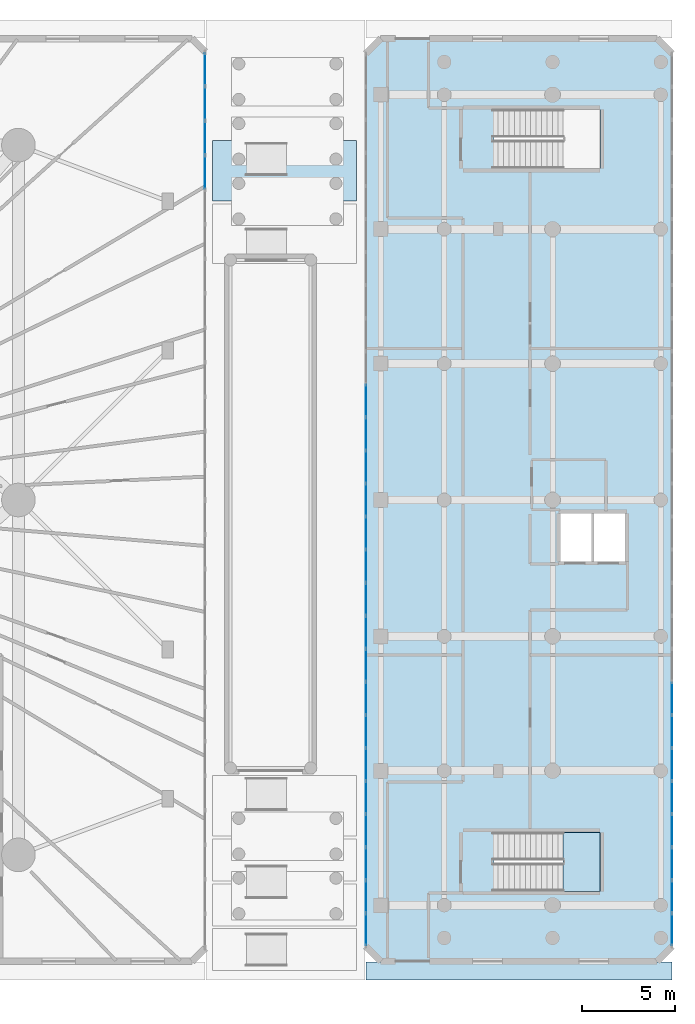
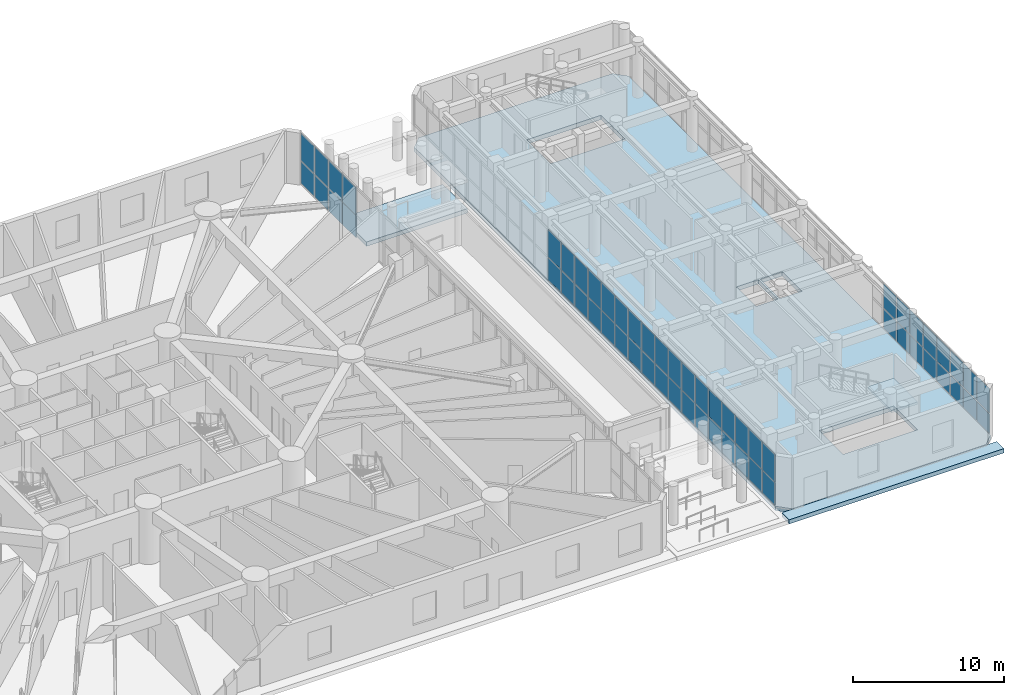
# One storey, part 11 of 30: 58 plates, 4 slabs, 4 elements without a shape of their own.
"""IFC4 building model written with IfcOpenShell, lengths in metres."""

import ifcopenshell
import ifcopenshell.guid

model = None  # the IFC model being written
_history = None  # IfcOwnerHistory: only IFC2X3 demands one
_inside = {}  # id of a spatial element -> (the spatial element, [elements in it])
_under = {}  # id of a project, library or spatial element -> (it, [spatial elements below it])
_declared = {}  # id of a project -> (the project, [libraries it declares])
_typed = {}  # id of a type object -> (the type object, [elements of that type])
_made_of = {}  # id of a material, layer set ... -> (it, [elements and type objects made of it])


def new_model(schema):
    """Start an empty IFC model of exactly this schema.

    Asked for "IFC4X3", IfcOpenShell would pick the latest addendum, in which some entities
    have other attributes; the version numbers below select the first issue.
    IFC2X3 requires an IfcOwnerHistory on every rooted entity: one is made here for all.
    """
    global model, _history
    if schema == "IFC4X3":
        model = ifcopenshell.file(schema_version=(4, 3, 0, 0))
    else:
        model = ifcopenshell.file(schema=schema)
    _inside.clear()
    _under.clear()
    _declared.clear()
    _typed.clear()
    _made_of.clear()
    _history = None
    if model.schema == "IFC2X3":
        org = make("IfcOrganization", Name="unknown")
        user = make(
            "IfcPersonAndOrganization",
            ThePerson=make("IfcPerson", FamilyName="unknown"),
            TheOrganization=org,
        )
        app = make(
            "IfcApplication",
            ApplicationDeveloper=org,
            Version="unknown",
            ApplicationFullName="unknown",
            ApplicationIdentifier="unknown",
        )
        _history = make(
            "IfcOwnerHistory",
            OwningUser=user,
            OwningApplication=app,
            ChangeAction="ADDED",
            CreationDate=0,
        )
    return model


def make(cls, **values):
    """One entity of the class cls with the attributes given. An attribute that is None is left unset."""
    return model.create_entity(
        cls, **{name: value for name, value in values.items() if value is not None}
    )


def rooted(cls, **values):
    """An entity with a GlobalId (a new one), such as an element, a storey or a relation."""
    return make(cls, GlobalId=ifcopenshell.guid.new(), OwnerHistory=_history, **values)


def si_unit(unit_type, name, prefix=None):
    """IfcSIUnit, for example si_unit("LENGTHUNIT", "METRE", prefix="MILLI")."""
    return make("IfcSIUnit", UnitType=unit_type, Prefix=prefix, Name=name)


def assignment(units):
    """IfcUnitAssignment: the units of a project."""
    return None if units is None else make("IfcUnitAssignment", Units=units)


def point(xyz):
    """IfcCartesianPoint."""
    return None if xyz is None else make("IfcCartesianPoint", Coordinates=xyz)


def direction(xyz):
    """IfcDirection."""
    return None if xyz is None else make("IfcDirection", DirectionRatios=xyz)


def frame(location, z_axis=None, x_axis=None):
    """IfcAxis2Placement3D, a coordinate frame: its origin and axes. An axis left out is left unset."""
    return make(
        "IfcAxis2Placement3D",
        Location=point(location),
        Axis=direction(z_axis),
        RefDirection=direction(x_axis),
    )


def frame_2d(location, x_axis=None):
    """IfcAxis2Placement2D, a coordinate frame in the plane: its origin and x axis."""
    return make(
        "IfcAxis2Placement2D", Location=point(location), RefDirection=direction(x_axis)
    )


def origin():
    """The frame at (0, 0, 0) with its axes left unset."""
    return frame((0.0, 0.0, 0.0))


def origin_with_axes():
    """The frame at (0, 0, 0) with the z axis (0, 0, 1) and the x axis (1, 0, 0) written out."""
    return frame((0.0, 0.0, 0.0), z_axis=(0.0, 0.0, 1.0), x_axis=(1.0, 0.0, 0.0))


def origin_2d():
    """The frame at (0, 0) in the plane with its x axis left unset."""
    return frame_2d((0.0, 0.0))


def place(relative_to, where):
    """IfcLocalPlacement: puts the frame where relative to a parent placement (None: the world)."""
    return make(
        "IfcLocalPlacement", PlacementRelTo=relative_to, RelativePlacement=where
    )


def context(
    kind, dimensions, precision=None, world=None, true_north=None, identifier=None
):
    """IfcGeometricRepresentationContext, for example the 3D "Model" context."""
    return make(
        "IfcGeometricRepresentationContext",
        ContextIdentifier=identifier,
        ContextType=kind,
        CoordinateSpaceDimension=dimensions,
        Precision=precision,
        WorldCoordinateSystem=world,
        TrueNorth=true_north,
    )


def subcontext(parent, identifier, kind, view, scale=None):
    """IfcGeometricRepresentationSubContext, for example "Body" below "Model"."""
    return make(
        "IfcGeometricRepresentationSubContext",
        ContextIdentifier=identifier,
        ContextType=kind,
        ParentContext=parent,
        TargetScale=scale,
        TargetView=view,
    )


def project(units=None, contexts=None):
    """IfcProject with its units and contexts."""
    return rooted(
        "IfcProject",
        Name="project",
        RepresentationContexts=contexts,
        UnitsInContext=assignment(units),
    )


def spatial(cls, under=None, at=None, **own):
    """A site, building, storey or space (cls), placed at a placement, below another one or the project."""
    s = rooted(cls, ObjectPlacement=at, **own)
    if under is not None:
        _under.setdefault(under.id(), (under, []))[1].append(s)
    return s


def polyline(points):
    """IfcPolyline through the points."""
    return make("IfcPolyline", Points=[point(p) for p in points])


def profile(cls, at=None, kind="AREA", **sizes):
    """A parametric profile (cls). Its sizes go by their IFC names, for example OverallWidth=200.0."""
    return make(cls, ProfileType=kind, Position=at, **sizes)


def rectangle(**sizes):
    """IfcRectangleProfileDef."""
    return profile("IfcRectangleProfileDef", **sizes)


def outline(outer, holes=None, kind="AREA"):
    """IfcArbitraryClosedProfileDef: a profile drawn as a closed curve; with holes, ...WithVoids."""
    if holes is None:
        return make("IfcArbitraryClosedProfileDef", ProfileType=kind, OuterCurve=outer)
    return make(
        "IfcArbitraryProfileDefWithVoids",
        ProfileType=kind,
        OuterCurve=outer,
        InnerCurves=holes,
    )


def extrude(swept, where, along, depth):
    """IfcExtrudedAreaSolid: the profile swept, set in the frame where, extruded along a direction by depth."""
    return make(
        "IfcExtrudedAreaSolid",
        SweptArea=swept,
        Position=where,
        ExtrudedDirection=direction(along),
        Depth=depth,
    )


def shape(context_of_items, identifier, shape_type, items):
    """IfcShapeRepresentation: the items that make up one representation, for example the "Body"."""
    return make(
        "IfcShapeRepresentation",
        ContextOfItems=context_of_items,
        RepresentationIdentifier=identifier,
        RepresentationType=shape_type,
        Items=items,
    )


def source(mapping_origin, context_of_items, identifier, shape_type, items):
    """IfcRepresentationMap: a shape defined once, which mapped items show again and again."""
    return make(
        "IfcRepresentationMap",
        MappingOrigin=mapping_origin,
        MappedRepresentation=shape(context_of_items, identifier, shape_type, items),
    )


def transform(
    local_origin,
    x_axis=None,
    y_axis=None,
    z_axis=None,
    scale=None,
    scale2=None,
    scale3=None,
    uniform=True,
):
    """IfcCartesianTransformationOperator3D, or its non-uniform kind. x_axis, y_axis, z_axis: its Axis1, 2, 3."""
    if uniform:
        return make(
            "IfcCartesianTransformationOperator3D",
            Axis1=direction(x_axis),
            Axis2=direction(y_axis),
            LocalOrigin=point(local_origin),
            Scale=scale,
            Axis3=direction(z_axis),
        )
    return make(
        "IfcCartesianTransformationOperator3DnonUniform",
        Axis1=direction(x_axis),
        Axis2=direction(y_axis),
        LocalOrigin=point(local_origin),
        Scale=scale,
        Axis3=direction(z_axis),
        Scale2=scale2,
        Scale3=scale3,
    )


def mapped(mapping_source, mapping_target):
    """IfcMappedItem: shows the shape of a source again, moved by a transform."""
    return make(
        "IfcMappedItem", MappingSource=mapping_source, MappingTarget=mapping_target
    )


def material(Name=None, Category=None):
    """IfcMaterial."""
    return make("IfcMaterial", Name=Name, Category=Category)


def layer(
    of_material, thickness, ventilated=None, Name=None, Category=None, Priority=None
):
    """IfcMaterialLayer: one layer of a wall or slab, of a material (None: an air gap)."""
    return make(
        "IfcMaterialLayer",
        Material=of_material,
        LayerThickness=thickness,
        IsVentilated=ventilated,
        Name=Name,
        Category=Category,
        Priority=Priority,
    )


def layer_set(layers, Name=None):
    """IfcMaterialLayerSet."""
    return make("IfcMaterialLayerSet", MaterialLayers=layers, LayerSetName=Name)


def made_of(thing, what):
    """Note that an element or type object is made of a material, layer set ...; save() writes the relation."""
    if what is not None:
        _made_of.setdefault(what.id(), (what, []))[1].append(thing)
    return thing


def type_object(cls, material=None, **own):
    """A type object (cls), such as IfcWallType, which elements share."""
    return made_of(rooted(cls, **own), material)


def element(
    cls,
    number,
    at=None,
    inside=None,
    cuts=None,
    type_object=None,
    material=None,
    context=None,
    identifier="Body",
    shape_type=None,
    held_by="IfcProductDefinitionShape",
    body=None,
    shapes=None,
    **own,
):
    """One element of the class cls, such as IfcWall. Its Tag is "e" and its number.

    at: its placement. inside: the storey or other place that contains it. cuts: it is an
    opening in that element (IfcRelVoidsElement). A single representation is given by context,
    identifier, shape_type and body (its items); several are given by shapes. held_by: the class
    of the entity that holds the representations. save() writes the other relations.
    """
    e = rooted(cls, Tag="e%d" % number, ObjectPlacement=at, **own)
    if body is not None:
        shapes = [shape(context, identifier, shape_type, body)]
    if shapes is not None:
        e.Representation = make(held_by, Representations=shapes)
    if inside is not None:
        _inside.setdefault(inside.id(), (inside, []))[1].append(e)
    if cuts is not None:
        rooted(
            "IfcRelVoidsElement", RelatingBuildingElement=cuts, RelatedOpeningElement=e
        )
    if type_object is not None:
        _typed.setdefault(type_object.id(), (type_object, []))[1].append(e)
    return made_of(e, material)


def aggregate(whole, parts):
    """IfcRelAggregates: a whole, such as a stair, and the parts it consists of."""
    return rooted("IfcRelAggregates", RelatingObject=whole, RelatedObjects=parts)


def save(model, path):
    """Write the relations noted so far, then the file.

    IfcRelAggregates (storeys below a building ...), IfcRelContainedInSpatialStructure (elements
    in a storey), IfcRelDefinesByType, IfcRelAssociatesMaterial and IfcRelDeclares: one each for
    every whole, place, type object, material and project.
    """
    for whole, parts in _under.values():
        aggregate(whole, parts)
    for where, things in _inside.values():
        rooted(
            "IfcRelContainedInSpatialStructure",
            RelatedElements=things,
            RelatingStructure=where,
        )
    for kind, things in _typed.values():
        rooted("IfcRelDefinesByType", RelatedObjects=things, RelatingType=kind)
    for what, things in _made_of.values():
        rooted("IfcRelAssociatesMaterial", RelatedObjects=things, RelatingMaterial=what)
    for by, libraries in _declared.values():
        rooted("IfcRelDeclares", RelatingContext=by, RelatedDefinitions=libraries)
    model.write(path)


model = new_model("IFC4")

# Units and contexts
model_context = context("Model", 3, precision=1e-05, world=origin(), true_north=direction((0.0, 1.0)))
body_context = subcontext(model_context, "Body", "Model", "MODEL_VIEW")
ifc_project = project(units=[si_unit("LENGTHUNIT", "METRE"), si_unit("AREAUNIT", "SQUARE_METRE"), si_unit("VOLUMEUNIT", "CUBIC_METRE"), si_unit("PLANEANGLEUNIT", "RADIAN"), si_unit("MASSUNIT", "GRAM", prefix="KILO")], contexts=[model_context])

# Site, building, storey
site_placement = place(None, origin())
site = spatial("IfcSite", under=ifc_project, at=site_placement, CompositionType="ELEMENT")
building_placement = place(site_placement, origin())
building = spatial("IfcBuilding", under=site, at=building_placement, Name="Karkom Vertical University and Central Library", CompositionType="ELEMENT")
storey_placement = place(building_placement, origin())
storey = spatial("IfcBuildingStorey", under=building, at=storey_placement, Name="L00", CompositionType="ELEMENT", Elevation=0.0)

# Stair, slab
ifc_material_1 = material(Name="Concrete C45/55", Category="concrete")
stair_type = type_object("IfcStairType", Name="INT-STR-ST-LIB", PredefinedType="HALF_TURN_STAIR", material=ifc_material_1)
stair_placement = place(storey_placement, origin())
stair = element("IfcStair", 1, at=stair_placement, inside=storey, type_object=stair_type, Name="Level 00 Central Library South Exit Stair LIB-ST1", PredefinedType="HALF_TURN_STAIR")
ifc_layer_1 = layer(ifc_material_1, 0.199951171875)
ifc_layer_set_1 = layer_set([ifc_layer_1], Name="Concrete C45/55")
slab_type_1 = type_object("IfcSlabType", Name="INT-SLB-LANDING", PredefinedType="LANDING", material=ifc_layer_set_1)
slab_1_placement = place(storey_placement, frame((0.0, 0.0, 2.050048828125)))
slab_1 = element("IfcSlab", 2, at=slab_1_placement, type_object=slab_type_1, Name="LIB-ST1 landing 1", PredefinedType="LANDING", context=body_context, shape_type="SweptSolid", body=[
    extrude(outline(polyline([(75.969970703125, 5.550048828125), (77.949951171875, 5.550048828125), (77.949951171875, 8.7099609375), (75.969970703125, 8.7099609375), (75.969970703125, 5.550048828125)])), origin(), (0.0, 0.0, 1.0), 0.199951171875),
])
aggregate(stair, [slab_1])

# Slabs
ifc_material_2 = material(Name="Concrete C40/50", Category="concrete")
ifc_layer_2 = layer(ifc_material_2, 0.344970703125)
ifc_layer_set_2 = layer_set([ifc_layer_2], Name="Concrete C40/50")
slab_type_2 = type_object("IfcSlabType", Name="STR-SLB-APR-180", PredefinedType="USERDEFINED", material=ifc_layer_set_2)
slab_2_placement = place(storey_placement, frame((0.0, 0.0, -0.344970703125)))
element("IfcSlab", 3, at=slab_2_placement, inside=storey, type_object=slab_type_2, Name="Level 00 Central Court Driveway Approach Slab 6", ObjectType="APPROACH SLAB", PredefinedType="USERDEFINED", context=body_context, shape_type="SweptSolid", body=[
    extrude(outline(polyline([(57.199951171875, 42.5), (64.89990234375, 42.5), (64.89990234375, 45.75), (57.199951171875, 45.75), (57.199951171875, 42.5)])), origin(), (0.0, 0.0, 1.0), 0.344970703125),
])
ifc_material_3 = material(Name="Concrete C50/60", Category="concrete")
ifc_layer_3 = layer(ifc_material_3, 0.35009765625)
ifc_layer_set_3 = layer_set([ifc_layer_3], Name="Concrete C50/60")
slab_type_3 = type_object("IfcSlabType", Name="STR-SLB-FLR-350", PredefinedType="FLOOR", material=ifc_layer_set_3)
slab_3_placement = place(storey_placement, frame((0.0, 0.0, -0.35009765625)))
element("IfcSlab", 4, at=slab_3_placement, inside=storey, type_object=slab_type_3, Name="Level 00 Central Library Floor Slab", PredefinedType="FLOOR", context=body_context, shape_type="SweptSolid", body=[
    extrude(outline(polyline([(66.199951171875, 1.800048828125), (81.0, 1.800048828125), (81.800048828125, 2.60009765625), (81.800048828125, 50.39990234375), (81.0, 51.199951171875), (66.199951171875, 51.199951171875), (65.39990234375, 50.39990234375), (65.39990234375, 2.60009765625), (66.199951171875, 1.800048828125)]), holes=[polyline([(72.264892578125, 5.550048828125), (77.949951171875, 5.550048828125), (77.949951171875, 8.7099609375), (72.264892578125, 8.7099609375), (72.264892578125, 5.550048828125)]), polyline([(72.264892578125, 44.25), (77.949951171875, 44.25), (77.949951171875, 47.409912109375), (72.264892578125, 47.409912109375), (72.264892578125, 44.25)]), polyline([(75.800048828125, 23.199951171875), (77.47998046875, 23.199951171875), (77.47998046875, 25.800048828125), (75.800048828125, 25.800048828125), (75.800048828125, 23.199951171875)]), polyline([(77.6201171875, 23.199951171875), (79.300048828125, 23.199951171875), (79.300048828125, 25.800048828125), (77.6201171875, 25.800048828125), (77.6201171875, 23.199951171875)])]), origin(), (0.0, 0.0, 1.0), 0.35009765625),
])
ifc_layer_4 = layer(ifc_material_2, 0.340087890625)
ifc_layer_set_4 = layer_set([ifc_layer_4], Name="Concrete C40/50")
slab_type_4 = type_object("IfcSlabType", Name="STR-SLB-PAV-190", PredefinedType="USERDEFINED", material=ifc_layer_set_4)
slab_4_placement = place(storey_placement, frame((0.0, 0.0, -0.340087890625)))
element("IfcSlab", 5, at=slab_4_placement, inside=storey, type_object=slab_type_4, Name="Level 00 Campus Forecourt Stone Plaza PLAZA-LIB-SOUTH", ObjectType="PAVING", PredefinedType="USERDEFINED", context=body_context, shape_type="SweptSolid", body=[
    extrude(outline(polyline([(81.800048828125, 1.760009765625), (81.800048828125, 0.800048828125), (65.39990234375, 0.800048828125), (65.39990234375, 1.760009765625), (66.183349609375, 1.760009765625), (81.0166015625, 1.760009765625), (81.800048828125, 1.760009765625)])), origin(), (0.0, 0.0, 1.0), 0.340087890625),
])

# Curtain wall, plates
ifc_material_4 = material(Name="Aluminium curtain-wall framing and low-E IGU", Category="aluminium")
ifc_layer_5 = layer(ifc_material_4, 0.199951171875)
ifc_layer_set_5 = layer_set([ifc_layer_5], Name="Aluminium curtain-wall framing and low-E IGU")
curtain_wall_type_1 = type_object("IfcCurtainWallType", Name="ENV-CW-3", PredefinedType="USERDEFINED", material=ifc_layer_set_5)
curtain_wall_1_placement = place(storey_placement, origin())
curtain_wall_1 = element("IfcCurtainWall", 6, at=curtain_wall_1_placement, inside=storey, type_object=curtain_wall_type_1, Name="Level 00 CW-3 Curtain Wall L00-CW3-3-2", ObjectType="STICK MULLION GLAZING", PredefinedType="USERDEFINED")
ifc_material_5 = material(Name="Solar-control low-E double glazing 32mm", Category="glass")
ifc_layer_6 = layer(ifc_material_5, 0.031982421875)
ifc_layer_set_6 = layer_set([ifc_layer_6], Name="Solar-control low-E double glazing 32mm")
plate_type_1 = type_object("IfcPlateType", Name="ENV-PLT-GLZ-32", PredefinedType="CURTAIN_PANEL", material=ifc_layer_set_6)
shared_shape_1 = source(origin_with_axes(), body_context, "Body", "SweptSolid", [
    extrude(rectangle(XDim=1.733642578125, YDim=0.031982421875, at=origin_2d()), origin(), (0.0, 0.0, 1.0), 1.777587890625),
])
plate_1_placement = place(storey_placement, frame((56.800048828125, 49.55810546875, 0.0751953125), z_axis=(0.0, 0.0, 1.0), x_axis=(0.0, 1.0, 0.0)))
plate_1 = element("IfcPlate", 7, at=plate_1_placement, type_object=plate_type_1, Name="CW-3 panel 13.1", PredefinedType="CURTAIN_PANEL", context=body_context, shape_type="MappedRepresentation", body=[
    mapped(shared_shape_1, transform((0.0, 0.0, 0.0), scale=1.0)),
])
shared_shape_2 = source(origin_with_axes(), body_context, "Body", "SweptSolid", [
    extrude(rectangle(XDim=1.733642578125, YDim=0.031982421875, at=origin_2d()), origin(), (0.0, 0.0, 1.0), 2.197509765625),
])
plate_2_placement = place(storey_placement, frame((56.800048828125, 49.55810546875, 1.927734375), z_axis=(0.0, 0.0, 1.0), x_axis=(0.0, 1.0, 0.0)))
plate_2 = element("IfcPlate", 8, at=plate_2_placement, type_object=plate_type_1, Name="CW-3 panel 13.2", PredefinedType="CURTAIN_PANEL", context=body_context, shape_type="MappedRepresentation", body=[
    mapped(shared_shape_2, transform((0.0, 0.0, 0.0), scale=1.0)),
])
shared_shape_3 = source(origin_with_axes(), body_context, "Body", "SweptSolid", [
    extrude(rectangle(XDim=1.771240234375, YDim=0.031982421875, at=origin_2d()), origin(), (0.0, 0.0, 1.0), 1.777587890625),
])
plate_3_placement = place(storey_placement, frame((56.800048828125, 44.03857421875, 0.0751953125), z_axis=(0.0, 0.0, 1.0), x_axis=(0.0, 1.0, 0.0)))
plate_3 = element("IfcPlate", 9, at=plate_3_placement, type_object=plate_type_1, Name="CW-3 panel 10.1", PredefinedType="CURTAIN_PANEL", context=body_context, shape_type="MappedRepresentation", body=[
    mapped(shared_shape_3, transform((0.0, 0.0, 0.0), scale=1.0)),
])
plate_4_placement = place(storey_placement, frame((56.800048828125, 45.884521484375, 0.0751953125), z_axis=(0.0, 0.0, 1.0), x_axis=(0.0, 1.0, 0.0)))
plate_4 = element("IfcPlate", 10, at=plate_4_placement, type_object=plate_type_1, Name="CW-3 panel 11.1", PredefinedType="CURTAIN_PANEL", context=body_context, shape_type="MappedRepresentation", body=[
    mapped(shared_shape_3, transform((0.0, 0.0, 0.0), scale=1.0)),
])
plate_5_placement = place(storey_placement, frame((56.800048828125, 47.730712890625, 0.0751953125), z_axis=(0.0, 0.0, 1.0), x_axis=(0.0, 1.0, 0.0)))
plate_5 = element("IfcPlate", 11, at=plate_5_placement, type_object=plate_type_1, Name="CW-3 panel 12.1", PredefinedType="CURTAIN_PANEL", context=body_context, shape_type="MappedRepresentation", body=[
    mapped(shared_shape_3, transform((0.0, 0.0, 0.0), scale=1.0)),
])
shared_shape_4 = source(origin_with_axes(), body_context, "Body", "SweptSolid", [
    extrude(rectangle(XDim=1.771240234375, YDim=0.031982421875, at=origin_2d()), origin(), (0.0, 0.0, 1.0), 2.197509765625),
])
plate_6_placement = place(storey_placement, frame((56.800048828125, 44.03857421875, 1.927734375), z_axis=(0.0, 0.0, 1.0), x_axis=(0.0, 1.0, 0.0)))
plate_6 = element("IfcPlate", 12, at=plate_6_placement, type_object=plate_type_1, Name="CW-3 panel 10.2", PredefinedType="CURTAIN_PANEL", context=body_context, shape_type="MappedRepresentation", body=[
    mapped(shared_shape_4, transform((0.0, 0.0, 0.0), scale=1.0)),
])
plate_7_placement = place(storey_placement, frame((56.800048828125, 45.884521484375, 1.927734375), z_axis=(0.0, 0.0, 1.0), x_axis=(0.0, 1.0, 0.0)))
plate_7 = element("IfcPlate", 13, at=plate_7_placement, type_object=plate_type_1, Name="CW-3 panel 11.2", PredefinedType="CURTAIN_PANEL", context=body_context, shape_type="MappedRepresentation", body=[
    mapped(shared_shape_4, transform((0.0, 0.0, 0.0), scale=1.0)),
])
plate_8_placement = place(storey_placement, frame((56.800048828125, 47.730712890625, 1.927734375), z_axis=(0.0, 0.0, 1.0), x_axis=(0.0, 1.0, 0.0)))
plate_8 = element("IfcPlate", 14, at=plate_8_placement, type_object=plate_type_1, Name="CW-3 panel 12.2", PredefinedType="CURTAIN_PANEL", context=body_context, shape_type="MappedRepresentation", body=[
    mapped(shared_shape_4, transform((0.0, 0.0, 0.0), scale=1.0)),
])
aggregate(curtain_wall_1, [plate_3, plate_6, plate_4, plate_7, plate_5, plate_8, plate_1, plate_2])

ifc_layer_7 = layer(ifc_material_4, 0.199951171875)
ifc_layer_set_7 = layer_set([ifc_layer_7], Name="Aluminium curtain-wall framing and low-E IGU")
curtain_wall_type_2 = type_object("IfcCurtainWallType", Name="ENV-CW-1", PredefinedType="USERDEFINED", material=ifc_layer_set_7)
curtain_wall_2_placement = place(storey_placement, origin())
curtain_wall_2 = element("IfcCurtainWall", 15, at=curtain_wall_2_placement, inside=storey, type_object=curtain_wall_type_2, Name="Level 00 CW-1 Curtain Wall L00-CW-1-LIB-3", ObjectType="STICK MULLION GLAZING", PredefinedType="USERDEFINED")
ifc_material_6 = material(Name="Solar-control low-E double glazing 28mm", Category="glass")
ifc_layer_8 = layer(ifc_material_6, 0.028076171875)
ifc_layer_set_8 = layer_set([ifc_layer_8], Name="Solar-control low-E double glazing 28mm")
plate_type_2 = type_object("IfcPlateType", Name="ENV-PLT-GLZ-28", PredefinedType="CURTAIN_PANEL", material=ifc_layer_set_8)
shared_shape_5 = source(origin_with_axes(), body_context, "Body", "SweptSolid", [
    extrude(rectangle(XDim=1.665283203125, YDim=0.028076171875, at=origin_2d()), origin(), (0.0, 0.0, 1.0), 1.58251953125),
])
plate_9_placement = place(storey_placement, frame((81.800048828125, 3.502685546875, 0.070068359375), z_axis=(0.0, 0.0, 1.0), x_axis=(0.0, 1.0, 0.0)))
plate_9 = element("IfcPlate", 16, at=plate_9_placement, type_object=plate_type_2, Name="CW-1 panel 1.1", PredefinedType="CURTAIN_PANEL", context=body_context, shape_type="MappedRepresentation", body=[
    mapped(shared_shape_5, transform((0.0, 0.0, 0.0), scale=1.0)),
])
shared_shape_6 = source(origin_with_axes(), body_context, "Body", "SweptSolid", [
    extrude(rectangle(XDim=1.665283203125, YDim=0.028076171875, at=origin_2d()), origin(), (0.0, 0.0, 1.0), 1.95751953125),
])
plate_10_placement = place(storey_placement, frame((81.800048828125, 3.502685546875, 1.722412109375), z_axis=(0.0, 0.0, 1.0), x_axis=(0.0, 1.0, 0.0)))
plate_10 = element("IfcPlate", 17, at=plate_10_placement, type_object=plate_type_2, Name="CW-1 panel 1.2", PredefinedType="CURTAIN_PANEL", context=body_context, shape_type="MappedRepresentation", body=[
    mapped(shared_shape_6, transform((0.0, 0.0, 0.0), scale=1.0)),
])
shared_shape_7 = source(origin_with_axes(), body_context, "Body", "SweptSolid", [
    extrude(rectangle(XDim=1.700439453125, YDim=0.028076171875, at=origin_2d()), origin(), (0.0, 0.0, 1.0), 1.58251953125),
])
plate_11_placement = place(storey_placement, frame((81.800048828125, 5.255615234375, 0.070068359375), z_axis=(0.0, 0.0, 1.0), x_axis=(0.0, 1.0, 0.0)))
plate_11 = element("IfcPlate", 18, at=plate_11_placement, type_object=plate_type_2, Name="CW-1 panel 2.1", PredefinedType="CURTAIN_PANEL", context=body_context, shape_type="MappedRepresentation", body=[
    mapped(shared_shape_7, transform((0.0, 0.0, 0.0), scale=1.0)),
])
plate_12_placement = place(storey_placement, frame((81.800048828125, 7.02587890625, 0.070068359375), z_axis=(0.0, 0.0, 1.0), x_axis=(0.0, 1.0, 0.0)))
plate_12 = element("IfcPlate", 19, at=plate_12_placement, type_object=plate_type_2, Name="CW-1 panel 3.1", PredefinedType="CURTAIN_PANEL", context=body_context, shape_type="MappedRepresentation", body=[
    mapped(shared_shape_7, transform((0.0, 0.0, 0.0), scale=1.0)),
])
plate_13_placement = place(storey_placement, frame((81.800048828125, 8.79638671875, 0.070068359375), z_axis=(0.0, 0.0, 1.0), x_axis=(0.0, 1.0, 0.0)))
plate_13 = element("IfcPlate", 20, at=plate_13_placement, type_object=plate_type_2, Name="CW-1 panel 4.1", PredefinedType="CURTAIN_PANEL", context=body_context, shape_type="MappedRepresentation", body=[
    mapped(shared_shape_7, transform((0.0, 0.0, 0.0), scale=1.0)),
])
plate_14_placement = place(storey_placement, frame((81.800048828125, 10.566650390625, 0.070068359375), z_axis=(0.0, 0.0, 1.0), x_axis=(0.0, 1.0, 0.0)))
plate_14 = element("IfcPlate", 21, at=plate_14_placement, type_object=plate_type_2, Name="CW-1 panel 5.1", PredefinedType="CURTAIN_PANEL", context=body_context, shape_type="MappedRepresentation", body=[
    mapped(shared_shape_7, transform((0.0, 0.0, 0.0), scale=1.0)),
])
plate_15_placement = place(storey_placement, frame((81.800048828125, 12.337158203125, 0.070068359375), z_axis=(0.0, 0.0, 1.0), x_axis=(0.0, 1.0, 0.0)))
plate_15 = element("IfcPlate", 22, at=plate_15_placement, type_object=plate_type_2, Name="CW-1 panel 6.1", PredefinedType="CURTAIN_PANEL", context=body_context, shape_type="MappedRepresentation", body=[
    mapped(shared_shape_7, transform((0.0, 0.0, 0.0), scale=1.0)),
])
plate_16_placement = place(storey_placement, frame((81.800048828125, 14.107421875, 0.070068359375), z_axis=(0.0, 0.0, 1.0), x_axis=(0.0, 1.0, 0.0)))
plate_16 = element("IfcPlate", 23, at=plate_16_placement, type_object=plate_type_2, Name="CW-1 panel 7.1", PredefinedType="CURTAIN_PANEL", context=body_context, shape_type="MappedRepresentation", body=[
    mapped(shared_shape_7, transform((0.0, 0.0, 0.0), scale=1.0)),
])
plate_17_placement = place(storey_placement, frame((81.800048828125, 15.877685546875, 0.070068359375), z_axis=(0.0, 0.0, 1.0), x_axis=(0.0, 1.0, 0.0)))
plate_17 = element("IfcPlate", 24, at=plate_17_placement, type_object=plate_type_2, Name="CW-1 panel 8.1", PredefinedType="CURTAIN_PANEL", context=body_context, shape_type="MappedRepresentation", body=[
    mapped(shared_shape_7, transform((0.0, 0.0, 0.0), scale=1.0)),
])
shared_shape_8 = source(origin_with_axes(), body_context, "Body", "SweptSolid", [
    extrude(rectangle(XDim=1.700439453125, YDim=0.028076171875, at=origin_2d()), origin(), (0.0, 0.0, 1.0), 1.95751953125),
])
plate_18_placement = place(storey_placement, frame((81.800048828125, 5.255615234375, 1.722412109375), z_axis=(0.0, 0.0, 1.0), x_axis=(0.0, 1.0, 0.0)))
plate_18 = element("IfcPlate", 25, at=plate_18_placement, type_object=plate_type_2, Name="CW-1 panel 2.2", PredefinedType="CURTAIN_PANEL", context=body_context, shape_type="MappedRepresentation", body=[
    mapped(shared_shape_8, transform((0.0, 0.0, 0.0), scale=1.0)),
])
plate_19_placement = place(storey_placement, frame((81.800048828125, 7.02587890625, 1.722412109375), z_axis=(0.0, 0.0, 1.0), x_axis=(0.0, 1.0, 0.0)))
plate_19 = element("IfcPlate", 26, at=plate_19_placement, type_object=plate_type_2, Name="CW-1 panel 3.2", PredefinedType="CURTAIN_PANEL", context=body_context, shape_type="MappedRepresentation", body=[
    mapped(shared_shape_8, transform((0.0, 0.0, 0.0), scale=1.0)),
])
plate_20_placement = place(storey_placement, frame((81.800048828125, 8.79638671875, 1.722412109375), z_axis=(0.0, 0.0, 1.0), x_axis=(0.0, 1.0, 0.0)))
plate_20 = element("IfcPlate", 27, at=plate_20_placement, type_object=plate_type_2, Name="CW-1 panel 4.2", PredefinedType="CURTAIN_PANEL", context=body_context, shape_type="MappedRepresentation", body=[
    mapped(shared_shape_8, transform((0.0, 0.0, 0.0), scale=1.0)),
])
plate_21_placement = place(storey_placement, frame((81.800048828125, 10.566650390625, 1.722412109375), z_axis=(0.0, 0.0, 1.0), x_axis=(0.0, 1.0, 0.0)))
plate_21 = element("IfcPlate", 28, at=plate_21_placement, type_object=plate_type_2, Name="CW-1 panel 5.2", PredefinedType="CURTAIN_PANEL", context=body_context, shape_type="MappedRepresentation", body=[
    mapped(shared_shape_8, transform((0.0, 0.0, 0.0), scale=1.0)),
])
plate_22_placement = place(storey_placement, frame((81.800048828125, 12.337158203125, 1.722412109375), z_axis=(0.0, 0.0, 1.0), x_axis=(0.0, 1.0, 0.0)))
plate_22 = element("IfcPlate", 29, at=plate_22_placement, type_object=plate_type_2, Name="CW-1 panel 6.2", PredefinedType="CURTAIN_PANEL", context=body_context, shape_type="MappedRepresentation", body=[
    mapped(shared_shape_8, transform((0.0, 0.0, 0.0), scale=1.0)),
])
plate_23_placement = place(storey_placement, frame((81.800048828125, 14.107421875, 1.722412109375), z_axis=(0.0, 0.0, 1.0), x_axis=(0.0, 1.0, 0.0)))
plate_23 = element("IfcPlate", 30, at=plate_23_placement, type_object=plate_type_2, Name="CW-1 panel 7.2", PredefinedType="CURTAIN_PANEL", context=body_context, shape_type="MappedRepresentation", body=[
    mapped(shared_shape_8, transform((0.0, 0.0, 0.0), scale=1.0)),
])
plate_24_placement = place(storey_placement, frame((81.800048828125, 15.877685546875, 1.722412109375), z_axis=(0.0, 0.0, 1.0), x_axis=(0.0, 1.0, 0.0)))
plate_24 = element("IfcPlate", 31, at=plate_24_placement, type_object=plate_type_2, Name="CW-1 panel 8.2", PredefinedType="CURTAIN_PANEL", context=body_context, shape_type="MappedRepresentation", body=[
    mapped(shared_shape_8, transform((0.0, 0.0, 0.0), scale=1.0)),
])
aggregate(curtain_wall_2, [plate_9, plate_10, plate_11, plate_18, plate_12, plate_19, plate_13, plate_20, plate_14, plate_21, plate_15, plate_22, plate_16, plate_23, plate_17, plate_24])

curtain_wall_3_placement = place(storey_placement, origin())
curtain_wall_3 = element("IfcCurtainWall", 32, at=curtain_wall_3_placement, inside=storey, type_object=curtain_wall_type_2, Name="Level 00 CW-1 Curtain Wall L00-CW-1-LIB-7", ObjectType="STICK MULLION GLAZING", PredefinedType="USERDEFINED")
shared_shape_9 = source(origin_with_axes(), body_context, "Body", "SweptSolid", [
    extrude(rectangle(XDim=1.665283203125, YDim=0.028076171875, at=origin_2d()), origin(), (0.0, 0.0, 1.0), 1.784912109375),
])
plate_25_placement = place(storey_placement, frame((65.39990234375, 3.502685546875, 0.06982421875), z_axis=(0.0, 0.0, 1.0), x_axis=(0.0, -1.0, 0.0)))
plate_25 = element("IfcPlate", 33, at=plate_25_placement, type_object=plate_type_2, Name="CW-1 panel 27.1", PredefinedType="CURTAIN_PANEL", context=body_context, shape_type="MappedRepresentation", body=[
    mapped(shared_shape_9, transform((0.0, 0.0, 0.0), scale=1.0)),
])
shared_shape_10 = source(origin_with_axes(), body_context, "Body", "SweptSolid", [
    extrude(rectangle(XDim=1.665283203125, YDim=0.028076171875, at=origin_2d()), origin(), (0.0, 0.0, 1.0), 2.205078125),
])
plate_26_placement = place(storey_placement, frame((65.39990234375, 3.502685546875, 1.925048828125), z_axis=(0.0, 0.0, 1.0), x_axis=(0.0, -1.0, 0.0)))
plate_26 = element("IfcPlate", 34, at=plate_26_placement, type_object=plate_type_2, Name="CW-1 panel 27.2", PredefinedType="CURTAIN_PANEL", context=body_context, shape_type="MappedRepresentation", body=[
    mapped(shared_shape_10, transform((0.0, 0.0, 0.0), scale=1.0)),
])
shared_shape_11 = source(origin_with_axes(), body_context, "Body", "SweptSolid", [
    extrude(rectangle(XDim=1.700439453125, YDim=0.028076171875, at=origin_2d()), origin(), (0.0, 0.0, 1.0), 1.784912109375),
])
plate_27_placement = place(storey_placement, frame((65.39990234375, 31.81103515625, 0.06982421875), z_axis=(0.0, 0.0, 1.0), x_axis=(0.0, -1.0, 0.0)))
plate_27 = element("IfcPlate", 35, at=plate_27_placement, type_object=plate_type_2, Name="CW-1 panel 11.1", PredefinedType="CURTAIN_PANEL", context=body_context, shape_type="MappedRepresentation", body=[
    mapped(shared_shape_11, transform((0.0, 0.0, 0.0), scale=1.0)),
])
plate_28_placement = place(storey_placement, frame((65.39990234375, 30.040771484375, 0.06982421875), z_axis=(0.0, 0.0, 1.0), x_axis=(0.0, -1.0, 0.0)))
plate_28 = element("IfcPlate", 36, at=plate_28_placement, type_object=plate_type_2, Name="CW-1 panel 12.1", PredefinedType="CURTAIN_PANEL", context=body_context, shape_type="MappedRepresentation", body=[
    mapped(shared_shape_11, transform((0.0, 0.0, 0.0), scale=1.0)),
])
plate_29_placement = place(storey_placement, frame((65.39990234375, 28.270263671875, 0.06982421875), z_axis=(0.0, 0.0, 1.0), x_axis=(0.0, -1.0, 0.0)))
plate_29 = element("IfcPlate", 37, at=plate_29_placement, type_object=plate_type_2, Name="CW-1 panel 13.1", PredefinedType="CURTAIN_PANEL", context=body_context, shape_type="MappedRepresentation", body=[
    mapped(shared_shape_11, transform((0.0, 0.0, 0.0), scale=1.0)),
])
plate_30_placement = place(storey_placement, frame((65.39990234375, 26.5, 0.06982421875), z_axis=(0.0, 0.0, 1.0), x_axis=(0.0, -1.0, 0.0)))
plate_30 = element("IfcPlate", 38, at=plate_30_placement, type_object=plate_type_2, Name="CW-1 panel 14.1", PredefinedType="CURTAIN_PANEL", context=body_context, shape_type="MappedRepresentation", body=[
    mapped(shared_shape_11, transform((0.0, 0.0, 0.0), scale=1.0)),
])
plate_31_placement = place(storey_placement, frame((65.39990234375, 24.729736328125, 0.06982421875), z_axis=(0.0, 0.0, 1.0), x_axis=(0.0, -1.0, 0.0)))
plate_31 = element("IfcPlate", 39, at=plate_31_placement, type_object=plate_type_2, Name="CW-1 panel 15.1", PredefinedType="CURTAIN_PANEL", context=body_context, shape_type="MappedRepresentation", body=[
    mapped(shared_shape_11, transform((0.0, 0.0, 0.0), scale=1.0)),
])
plate_32_placement = place(storey_placement, frame((65.39990234375, 22.959228515625, 0.06982421875), z_axis=(0.0, 0.0, 1.0), x_axis=(0.0, -1.0, 0.0)))
plate_32 = element("IfcPlate", 40, at=plate_32_placement, type_object=plate_type_2, Name="CW-1 panel 16.1", PredefinedType="CURTAIN_PANEL", context=body_context, shape_type="MappedRepresentation", body=[
    mapped(shared_shape_11, transform((0.0, 0.0, 0.0), scale=1.0)),
])
plate_33_placement = place(storey_placement, frame((65.39990234375, 21.18896484375, 0.06982421875), z_axis=(0.0, 0.0, 1.0), x_axis=(0.0, -1.0, 0.0)))
plate_33 = element("IfcPlate", 41, at=plate_33_placement, type_object=plate_type_2, Name="CW-1 panel 17.1", PredefinedType="CURTAIN_PANEL", context=body_context, shape_type="MappedRepresentation", body=[
    mapped(shared_shape_11, transform((0.0, 0.0, 0.0), scale=1.0)),
])
plate_34_placement = place(storey_placement, frame((65.39990234375, 19.41845703125, 0.06982421875), z_axis=(0.0, 0.0, 1.0), x_axis=(0.0, -1.0, 0.0)))
plate_34 = element("IfcPlate", 42, at=plate_34_placement, type_object=plate_type_2, Name="CW-1 panel 18.1", PredefinedType="CURTAIN_PANEL", context=body_context, shape_type="MappedRepresentation", body=[
    mapped(shared_shape_11, transform((0.0, 0.0, 0.0), scale=1.0)),
])
plate_35_placement = place(storey_placement, frame((65.39990234375, 17.648193359375, 0.06982421875), z_axis=(0.0, 0.0, 1.0), x_axis=(0.0, -1.0, 0.0)))
plate_35 = element("IfcPlate", 43, at=plate_35_placement, type_object=plate_type_2, Name="CW-1 panel 19.1", PredefinedType="CURTAIN_PANEL", context=body_context, shape_type="MappedRepresentation", body=[
    mapped(shared_shape_11, transform((0.0, 0.0, 0.0), scale=1.0)),
])
plate_36_placement = place(storey_placement, frame((65.39990234375, 15.877685546875, 0.06982421875), z_axis=(0.0, 0.0, 1.0), x_axis=(0.0, -1.0, 0.0)))
plate_36 = element("IfcPlate", 44, at=plate_36_placement, type_object=plate_type_2, Name="CW-1 panel 20.1", PredefinedType="CURTAIN_PANEL", context=body_context, shape_type="MappedRepresentation", body=[
    mapped(shared_shape_11, transform((0.0, 0.0, 0.0), scale=1.0)),
])
plate_37_placement = place(storey_placement, frame((65.39990234375, 14.107421875, 0.06982421875), z_axis=(0.0, 0.0, 1.0), x_axis=(0.0, -1.0, 0.0)))
plate_37 = element("IfcPlate", 45, at=plate_37_placement, type_object=plate_type_2, Name="CW-1 panel 21.1", PredefinedType="CURTAIN_PANEL", context=body_context, shape_type="MappedRepresentation", body=[
    mapped(shared_shape_11, transform((0.0, 0.0, 0.0), scale=1.0)),
])
plate_38_placement = place(storey_placement, frame((65.39990234375, 12.337158203125, 0.06982421875), z_axis=(0.0, 0.0, 1.0), x_axis=(0.0, -1.0, 0.0)))
plate_38 = element("IfcPlate", 46, at=plate_38_placement, type_object=plate_type_2, Name="CW-1 panel 22.1", PredefinedType="CURTAIN_PANEL", context=body_context, shape_type="MappedRepresentation", body=[
    mapped(shared_shape_11, transform((0.0, 0.0, 0.0), scale=1.0)),
])
plate_39_placement = place(storey_placement, frame((65.39990234375, 10.566650390625, 0.06982421875), z_axis=(0.0, 0.0, 1.0), x_axis=(0.0, -1.0, 0.0)))
plate_39 = element("IfcPlate", 47, at=plate_39_placement, type_object=plate_type_2, Name="CW-1 panel 23.1", PredefinedType="CURTAIN_PANEL", context=body_context, shape_type="MappedRepresentation", body=[
    mapped(shared_shape_11, transform((0.0, 0.0, 0.0), scale=1.0)),
])
plate_40_placement = place(storey_placement, frame((65.39990234375, 8.79638671875, 0.06982421875), z_axis=(0.0, 0.0, 1.0), x_axis=(0.0, -1.0, 0.0)))
plate_40 = element("IfcPlate", 48, at=plate_40_placement, type_object=plate_type_2, Name="CW-1 panel 24.1", PredefinedType="CURTAIN_PANEL", context=body_context, shape_type="MappedRepresentation", body=[
    mapped(shared_shape_11, transform((0.0, 0.0, 0.0), scale=1.0)),
])
plate_41_placement = place(storey_placement, frame((65.39990234375, 7.02587890625, 0.06982421875), z_axis=(0.0, 0.0, 1.0), x_axis=(0.0, -1.0, 0.0)))
plate_41 = element("IfcPlate", 49, at=plate_41_placement, type_object=plate_type_2, Name="CW-1 panel 25.1", PredefinedType="CURTAIN_PANEL", context=body_context, shape_type="MappedRepresentation", body=[
    mapped(shared_shape_11, transform((0.0, 0.0, 0.0), scale=1.0)),
])
plate_42_placement = place(storey_placement, frame((65.39990234375, 5.255615234375, 0.06982421875), z_axis=(0.0, 0.0, 1.0), x_axis=(0.0, -1.0, 0.0)))
plate_42 = element("IfcPlate", 50, at=plate_42_placement, type_object=plate_type_2, Name="CW-1 panel 26.1", PredefinedType="CURTAIN_PANEL", context=body_context, shape_type="MappedRepresentation", body=[
    mapped(shared_shape_11, transform((0.0, 0.0, 0.0), scale=1.0)),
])
shared_shape_12 = source(origin_with_axes(), body_context, "Body", "SweptSolid", [
    extrude(rectangle(XDim=1.700439453125, YDim=0.028076171875, at=origin_2d()), origin(), (0.0, 0.0, 1.0), 2.205078125),
])
plate_43_placement = place(storey_placement, frame((65.39990234375, 31.81103515625, 1.925048828125), z_axis=(0.0, 0.0, 1.0), x_axis=(0.0, -1.0, 0.0)))
plate_43 = element("IfcPlate", 51, at=plate_43_placement, type_object=plate_type_2, Name="CW-1 panel 11.2", PredefinedType="CURTAIN_PANEL", context=body_context, shape_type="MappedRepresentation", body=[
    mapped(shared_shape_12, transform((0.0, 0.0, 0.0), scale=1.0)),
])
plate_44_placement = place(storey_placement, frame((65.39990234375, 30.040771484375, 1.925048828125), z_axis=(0.0, 0.0, 1.0), x_axis=(0.0, -1.0, 0.0)))
plate_44 = element("IfcPlate", 52, at=plate_44_placement, type_object=plate_type_2, Name="CW-1 panel 12.2", PredefinedType="CURTAIN_PANEL", context=body_context, shape_type="MappedRepresentation", body=[
    mapped(shared_shape_12, transform((0.0, 0.0, 0.0), scale=1.0)),
])
plate_45_placement = place(storey_placement, frame((65.39990234375, 28.270263671875, 1.925048828125), z_axis=(0.0, 0.0, 1.0), x_axis=(0.0, -1.0, 0.0)))
plate_45 = element("IfcPlate", 53, at=plate_45_placement, type_object=plate_type_2, Name="CW-1 panel 13.2", PredefinedType="CURTAIN_PANEL", context=body_context, shape_type="MappedRepresentation", body=[
    mapped(shared_shape_12, transform((0.0, 0.0, 0.0), scale=1.0)),
])
plate_46_placement = place(storey_placement, frame((65.39990234375, 26.5, 1.925048828125), z_axis=(0.0, 0.0, 1.0), x_axis=(0.0, -1.0, 0.0)))
plate_46 = element("IfcPlate", 54, at=plate_46_placement, type_object=plate_type_2, Name="CW-1 panel 14.2", PredefinedType="CURTAIN_PANEL", context=body_context, shape_type="MappedRepresentation", body=[
    mapped(shared_shape_12, transform((0.0, 0.0, 0.0), scale=1.0)),
])
plate_47_placement = place(storey_placement, frame((65.39990234375, 24.729736328125, 1.925048828125), z_axis=(0.0, 0.0, 1.0), x_axis=(0.0, -1.0, 0.0)))
plate_47 = element("IfcPlate", 55, at=plate_47_placement, type_object=plate_type_2, Name="CW-1 panel 15.2", PredefinedType="CURTAIN_PANEL", context=body_context, shape_type="MappedRepresentation", body=[
    mapped(shared_shape_12, transform((0.0, 0.0, 0.0), scale=1.0)),
])
plate_48_placement = place(storey_placement, frame((65.39990234375, 22.959228515625, 1.925048828125), z_axis=(0.0, 0.0, 1.0), x_axis=(0.0, -1.0, 0.0)))
plate_48 = element("IfcPlate", 56, at=plate_48_placement, type_object=plate_type_2, Name="CW-1 panel 16.2", PredefinedType="CURTAIN_PANEL", context=body_context, shape_type="MappedRepresentation", body=[
    mapped(shared_shape_12, transform((0.0, 0.0, 0.0), scale=1.0)),
])
plate_49_placement = place(storey_placement, frame((65.39990234375, 21.18896484375, 1.925048828125), z_axis=(0.0, 0.0, 1.0), x_axis=(0.0, -1.0, 0.0)))
plate_49 = element("IfcPlate", 57, at=plate_49_placement, type_object=plate_type_2, Name="CW-1 panel 17.2", PredefinedType="CURTAIN_PANEL", context=body_context, shape_type="MappedRepresentation", body=[
    mapped(shared_shape_12, transform((0.0, 0.0, 0.0), scale=1.0)),
])
plate_50_placement = place(storey_placement, frame((65.39990234375, 19.41845703125, 1.925048828125), z_axis=(0.0, 0.0, 1.0), x_axis=(0.0, -1.0, 0.0)))
plate_50 = element("IfcPlate", 58, at=plate_50_placement, type_object=plate_type_2, Name="CW-1 panel 18.2", PredefinedType="CURTAIN_PANEL", context=body_context, shape_type="MappedRepresentation", body=[
    mapped(shared_shape_12, transform((0.0, 0.0, 0.0), scale=1.0)),
])
plate_51_placement = place(storey_placement, frame((65.39990234375, 17.648193359375, 1.925048828125), z_axis=(0.0, 0.0, 1.0), x_axis=(0.0, -1.0, 0.0)))
plate_51 = element("IfcPlate", 59, at=plate_51_placement, type_object=plate_type_2, Name="CW-1 panel 19.2", PredefinedType="CURTAIN_PANEL", context=body_context, shape_type="MappedRepresentation", body=[
    mapped(shared_shape_12, transform((0.0, 0.0, 0.0), scale=1.0)),
])
plate_52_placement = place(storey_placement, frame((65.39990234375, 15.877685546875, 1.925048828125), z_axis=(0.0, 0.0, 1.0), x_axis=(0.0, -1.0, 0.0)))
plate_52 = element("IfcPlate", 60, at=plate_52_placement, type_object=plate_type_2, Name="CW-1 panel 20.2", PredefinedType="CURTAIN_PANEL", context=body_context, shape_type="MappedRepresentation", body=[
    mapped(shared_shape_12, transform((0.0, 0.0, 0.0), scale=1.0)),
])
plate_53_placement = place(storey_placement, frame((65.39990234375, 14.107421875, 1.925048828125), z_axis=(0.0, 0.0, 1.0), x_axis=(0.0, -1.0, 0.0)))
plate_53 = element("IfcPlate", 61, at=plate_53_placement, type_object=plate_type_2, Name="CW-1 panel 21.2", PredefinedType="CURTAIN_PANEL", context=body_context, shape_type="MappedRepresentation", body=[
    mapped(shared_shape_12, transform((0.0, 0.0, 0.0), scale=1.0)),
])
plate_54_placement = place(storey_placement, frame((65.39990234375, 12.337158203125, 1.925048828125), z_axis=(0.0, 0.0, 1.0), x_axis=(0.0, -1.0, 0.0)))
plate_54 = element("IfcPlate", 62, at=plate_54_placement, type_object=plate_type_2, Name="CW-1 panel 22.2", PredefinedType="CURTAIN_PANEL", context=body_context, shape_type="MappedRepresentation", body=[
    mapped(shared_shape_12, transform((0.0, 0.0, 0.0), scale=1.0)),
])
plate_55_placement = place(storey_placement, frame((65.39990234375, 10.566650390625, 1.925048828125), z_axis=(0.0, 0.0, 1.0), x_axis=(0.0, -1.0, 0.0)))
plate_55 = element("IfcPlate", 63, at=plate_55_placement, type_object=plate_type_2, Name="CW-1 panel 23.2", PredefinedType="CURTAIN_PANEL", context=body_context, shape_type="MappedRepresentation", body=[
    mapped(shared_shape_12, transform((0.0, 0.0, 0.0), scale=1.0)),
])
plate_56_placement = place(storey_placement, frame((65.39990234375, 8.79638671875, 1.925048828125), z_axis=(0.0, 0.0, 1.0), x_axis=(0.0, -1.0, 0.0)))
plate_56 = element("IfcPlate", 64, at=plate_56_placement, type_object=plate_type_2, Name="CW-1 panel 24.2", PredefinedType="CURTAIN_PANEL", context=body_context, shape_type="MappedRepresentation", body=[
    mapped(shared_shape_12, transform((0.0, 0.0, 0.0), scale=1.0)),
])
plate_57_placement = place(storey_placement, frame((65.39990234375, 7.02587890625, 1.925048828125), z_axis=(0.0, 0.0, 1.0), x_axis=(0.0, -1.0, 0.0)))
plate_57 = element("IfcPlate", 65, at=plate_57_placement, type_object=plate_type_2, Name="CW-1 panel 25.2", PredefinedType="CURTAIN_PANEL", context=body_context, shape_type="MappedRepresentation", body=[
    mapped(shared_shape_12, transform((0.0, 0.0, 0.0), scale=1.0)),
])
plate_58_placement = place(storey_placement, frame((65.39990234375, 5.255615234375, 1.925048828125), z_axis=(0.0, 0.0, 1.0), x_axis=(0.0, -1.0, 0.0)))
plate_58 = element("IfcPlate", 66, at=plate_58_placement, type_object=plate_type_2, Name="CW-1 panel 26.2", PredefinedType="CURTAIN_PANEL", context=body_context, shape_type="MappedRepresentation", body=[
    mapped(shared_shape_12, transform((0.0, 0.0, 0.0), scale=1.0)),
])
aggregate(curtain_wall_3, [plate_27, plate_43, plate_28, plate_44, plate_29, plate_45, plate_30, plate_46, plate_31, plate_47, plate_32, plate_48, plate_33, plate_49, plate_34, plate_50, plate_35, plate_51, plate_36, plate_52, plate_37, plate_53, plate_38, plate_54, plate_39, plate_55, plate_40, plate_56, plate_41, plate_57, plate_42, plate_58, plate_25, plate_26])

save(model, "model.ifc")
